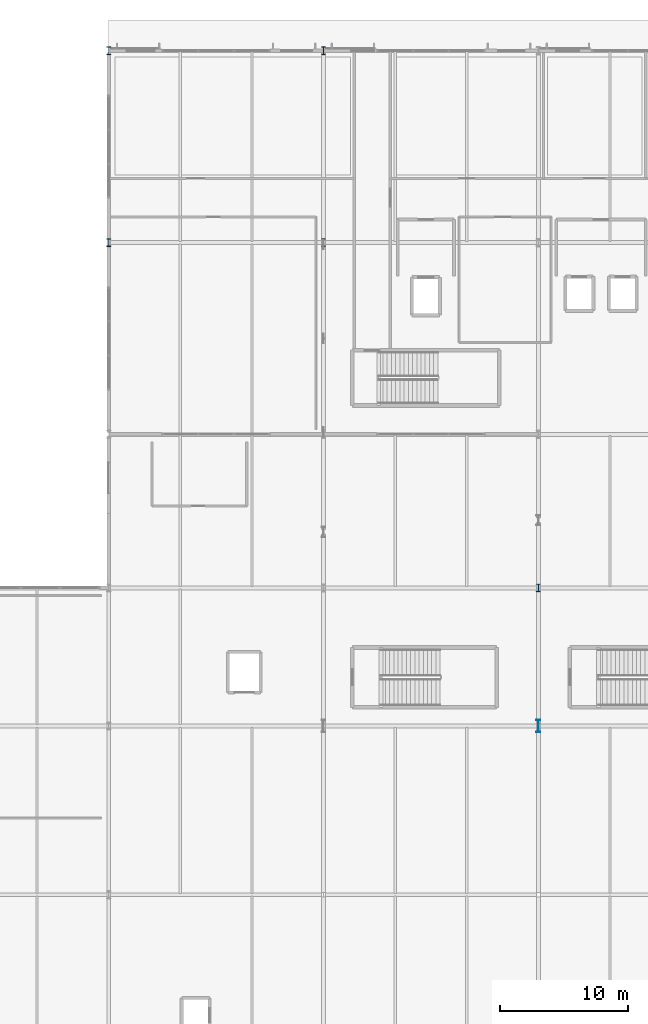
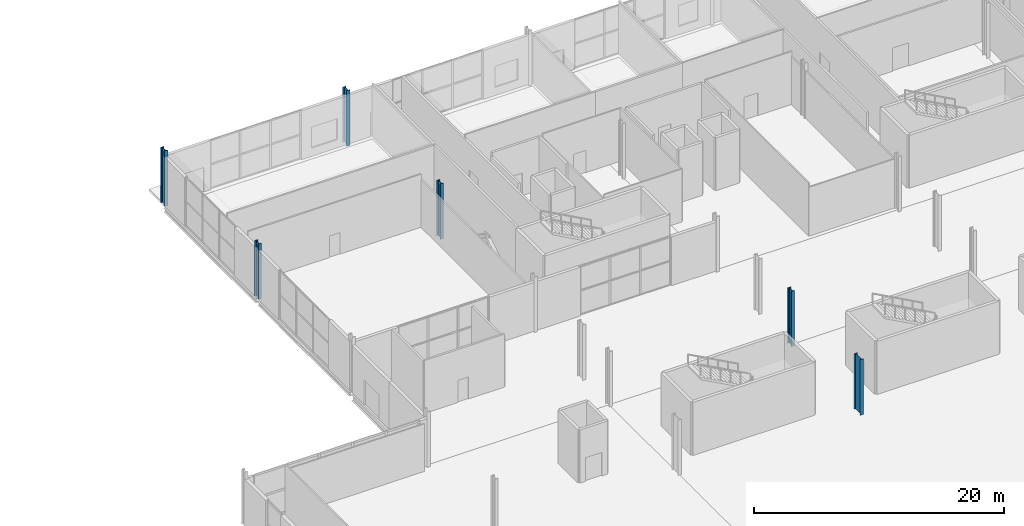
# One storey, part 9 of 87: 6 columns.
"""IFC4 building model written with IfcOpenShell, lengths in metres."""

from ifc_helpers import new_model, si_unit, direction, frame, origin, origin_2d, place, context, subcontext, project, spatial, i_section, extrude, material, material_profile, profile_set, type_object, element, save


model = new_model("IFC4")

# Units and contexts
model_context = context("Model", 3, precision=1e-05, world=origin(), true_north=direction((0.0, 1.0)))
body_context = subcontext(model_context, "Body", "Model", "MODEL_VIEW")
ifc_project = project(units=[si_unit("LENGTHUNIT", "METRE"), si_unit("AREAUNIT", "SQUARE_METRE"), si_unit("VOLUMEUNIT", "CUBIC_METRE"), si_unit("PLANEANGLEUNIT", "RADIAN"), si_unit("MASSUNIT", "GRAM", prefix="KILO")], contexts=[model_context])

# Site, building, storey
site_placement = place(None, origin())
site = spatial("IfcSite", under=ifc_project, at=site_placement, CompositionType="ELEMENT")
building_placement = place(site_placement, origin())
building = spatial("IfcBuilding", under=site, at=building_placement, Name="Kimbaza Rail Terminus", CompositionType="ELEMENT")
storey_placement = place(building_placement, origin())
storey = spatial("IfcBuildingStorey", under=building, at=storey_placement, Name="L00", CompositionType="ELEMENT", Elevation=0.0)

# Columns
ifc_material_1 = material(Name="Steel S355", Category="steel")
ifc_material_profile_1 = material_profile(ifc_material_1, i_section(OverallWidth=0.300048828125, OverallDepth=0.60009765625, WebThickness=0.015380859375, FlangeThickness=0.030029296875, FilletRadius=0.027099609375, at=origin_2d()), Name="HEB 600")
ifc_profile_set_1 = profile_set([ifc_material_profile_1], Name="Steel S355")
column_type_1 = type_object("IfcColumnType", Name="STR-COL-HEB600", PredefinedType="COLUMN", material=ifc_profile_set_1)
column_1_placement = place(storey_placement, frame((88.800048828125, 91.0, 0.0), z_axis=(0.0, 0.0, 1.0), x_axis=(1.0, 0.0, 0.0)))
element("IfcColumn", 1, at=column_1_placement, inside=storey, type_object=column_type_1, Name="North Transfer Pier L00 (2,1)", PredefinedType="COLUMN", context=body_context, shape_type="SweptSolid", body=[
    extrude(i_section(OverallWidth=0.300048828125, OverallDepth=0.60009765625, WebThickness=0.015380859375, FlangeThickness=0.030029296875, FilletRadius=0.027099609375, at=origin_2d()), origin(), (0.0, 0.0, 1.0), 5.39990234375),
])
ifc_material_2 = material(Name="Steel S355", Category="steel")
ifc_material_profile_2 = material_profile(ifc_material_2, i_section(OverallWidth=0.302001953125, OverallDepth=1.008056640625, WebThickness=0.02099609375, FlangeThickness=0.0400390625, FilletRadius=0.030029296875, at=origin_2d()), Name="HEM 1000")
ifc_profile_set_2 = profile_set([ifc_material_profile_2], Name="Steel S355")
column_type_2 = type_object("IfcColumnType", Name="STR-COL-HEM1000", PredefinedType="COLUMN", material=ifc_profile_set_2)
column_2_placement = place(storey_placement, frame((88.800048828125, 80.199951171875, 0.0), z_axis=(0.0, 0.0, 1.0), x_axis=(1.0, 0.0, 0.0)))
element("IfcColumn", 2, at=column_2_placement, inside=storey, type_object=column_type_2, Name="North Transfer Pier L00 (2,0)", PredefinedType="COLUMN", context=body_context, shape_type="SweptSolid", body=[
    extrude(i_section(OverallWidth=0.302001953125, OverallDepth=1.008056640625, WebThickness=0.02099609375, FlangeThickness=0.0400390625, FilletRadius=0.030029296875, at=origin_2d()), origin(), (0.0, 0.0, 1.0), 5.39990234375),
])
ifc_material_3 = material(Name="Steel S355", Category="steel")
ifc_material_profile_3 = material_profile(ifc_material_3, i_section(OverallWidth=0.304931640625, OverallDepth=0.6201171875, WebThickness=0.02099609375, FlangeThickness=0.0400390625, FilletRadius=0.027099609375, at=origin_2d()), Name="HEM 600")
ifc_profile_set_3 = profile_set([ifc_material_profile_3], Name="Steel S355")
column_type_3 = type_object("IfcColumnType", Name="STR-COL-HEM600", PredefinedType="COLUMN", material=ifc_profile_set_3)
for number, where, z_axis, x_axis, name in (
    (3, (55.199951171875, 118.0, 0.0), (0.0, 0.0, 1.0), (1.0, 0.0, 0.0), "Operations Column L00 (0,1)"),
    (4, (55.199951171875, 133.0, 0.0), (0.0, 0.0, 1.0), (1.0, 0.0, 0.0), "Operations Column L00 (0,2)"),
    (5, (72.0, 118.0, 0.0), (0.0, 0.0, 1.0), (1.0, 0.0, 0.0), "Operations Column L00 (1,1)"),
    (6, (72.0, 133.0, 0.0), (0.0, 0.0, 1.0), (1.0, 0.0, 0.0), "Operations Column L00 (1,2)"),
):
    element("IfcColumn", number, at=place(storey_placement, frame(where, z_axis=z_axis, x_axis=x_axis)), inside=storey, type_object=column_type_3, Name=name, PredefinedType="COLUMN", context=body_context, shape_type="SweptSolid", body=[
        extrude(i_section(OverallWidth=0.304931640625, OverallDepth=0.6201171875, WebThickness=0.02099609375, FlangeThickness=0.0400390625, FilletRadius=0.027099609375, at=origin_2d()), origin(), (0.0, 0.0, 1.0), 5.39990234375),
    ])

save(model, "model.ifc")
